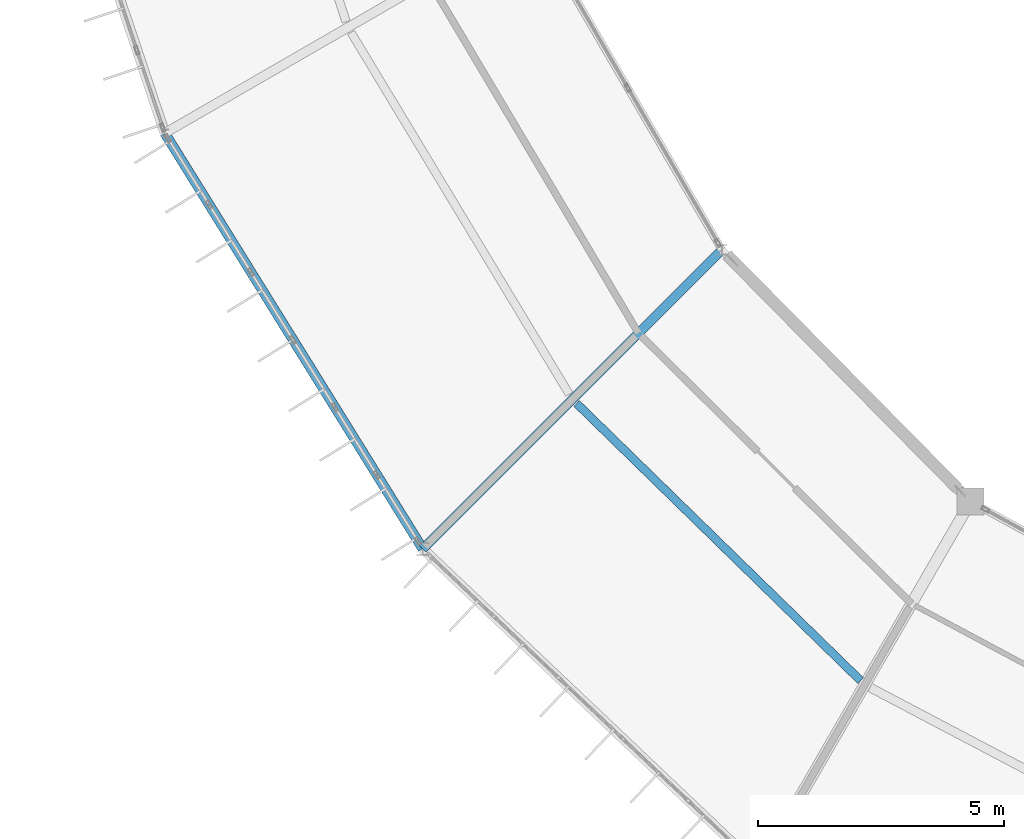
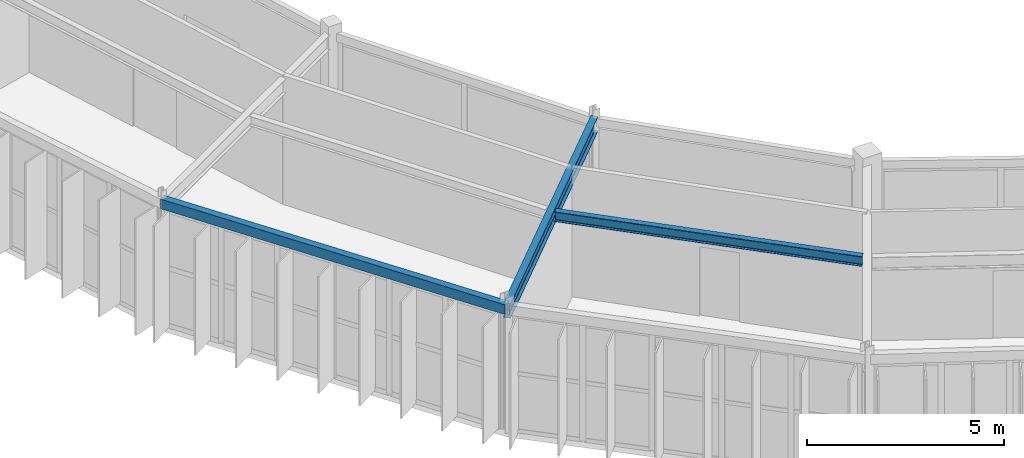
# One storey, part 23 of 130: 3 beams.
"""IFC4 building model written with IfcOpenShell, lengths in metres."""

import ifcopenshell
import ifcopenshell.guid

model = None  # the IFC model being written
_history = None  # IfcOwnerHistory: only IFC2X3 demands one
_inside = {}  # id of a spatial element -> (the spatial element, [elements in it])
_under = {}  # id of a project, library or spatial element -> (it, [spatial elements below it])
_declared = {}  # id of a project -> (the project, [libraries it declares])
_typed = {}  # id of a type object -> (the type object, [elements of that type])
_made_of = {}  # id of a material, layer set ... -> (it, [elements and type objects made of it])


def new_model(schema):
    """Start an empty IFC model of exactly this schema.

    Asked for "IFC4X3", IfcOpenShell would pick the latest addendum, in which some entities
    have other attributes; the version numbers below select the first issue.
    IFC2X3 requires an IfcOwnerHistory on every rooted entity: one is made here for all.
    """
    global model, _history
    if schema == "IFC4X3":
        model = ifcopenshell.file(schema_version=(4, 3, 0, 0))
    else:
        model = ifcopenshell.file(schema=schema)
    _inside.clear()
    _under.clear()
    _declared.clear()
    _typed.clear()
    _made_of.clear()
    _history = None
    if model.schema == "IFC2X3":
        org = make("IfcOrganization", Name="unknown")
        user = make(
            "IfcPersonAndOrganization",
            ThePerson=make("IfcPerson", FamilyName="unknown"),
            TheOrganization=org,
        )
        app = make(
            "IfcApplication",
            ApplicationDeveloper=org,
            Version="unknown",
            ApplicationFullName="unknown",
            ApplicationIdentifier="unknown",
        )
        _history = make(
            "IfcOwnerHistory",
            OwningUser=user,
            OwningApplication=app,
            ChangeAction="ADDED",
            CreationDate=0,
        )
    return model


def make(cls, **values):
    """One entity of the class cls with the attributes given. An attribute that is None is left unset."""
    return model.create_entity(
        cls, **{name: value for name, value in values.items() if value is not None}
    )


def rooted(cls, **values):
    """An entity with a GlobalId (a new one), such as an element, a storey or a relation."""
    return make(cls, GlobalId=ifcopenshell.guid.new(), OwnerHistory=_history, **values)


def si_unit(unit_type, name, prefix=None):
    """IfcSIUnit, for example si_unit("LENGTHUNIT", "METRE", prefix="MILLI")."""
    return make("IfcSIUnit", UnitType=unit_type, Prefix=prefix, Name=name)


def assignment(units):
    """IfcUnitAssignment: the units of a project."""
    return None if units is None else make("IfcUnitAssignment", Units=units)


def point(xyz):
    """IfcCartesianPoint."""
    return None if xyz is None else make("IfcCartesianPoint", Coordinates=xyz)


def direction(xyz):
    """IfcDirection."""
    return None if xyz is None else make("IfcDirection", DirectionRatios=xyz)


def frame(location, z_axis=None, x_axis=None):
    """IfcAxis2Placement3D, a coordinate frame: its origin and axes. An axis left out is left unset."""
    return make(
        "IfcAxis2Placement3D",
        Location=point(location),
        Axis=direction(z_axis),
        RefDirection=direction(x_axis),
    )


def frame_2d(location, x_axis=None):
    """IfcAxis2Placement2D, a coordinate frame in the plane: its origin and x axis."""
    return make(
        "IfcAxis2Placement2D", Location=point(location), RefDirection=direction(x_axis)
    )


def origin():
    """The frame at (0, 0, 0) with its axes left unset."""
    return frame((0.0, 0.0, 0.0))


def origin_2d():
    """The frame at (0, 0) in the plane with its x axis left unset."""
    return frame_2d((0.0, 0.0))


def place(relative_to, where):
    """IfcLocalPlacement: puts the frame where relative to a parent placement (None: the world)."""
    return make(
        "IfcLocalPlacement", PlacementRelTo=relative_to, RelativePlacement=where
    )


def context(
    kind, dimensions, precision=None, world=None, true_north=None, identifier=None
):
    """IfcGeometricRepresentationContext, for example the 3D "Model" context."""
    return make(
        "IfcGeometricRepresentationContext",
        ContextIdentifier=identifier,
        ContextType=kind,
        CoordinateSpaceDimension=dimensions,
        Precision=precision,
        WorldCoordinateSystem=world,
        TrueNorth=true_north,
    )


def subcontext(parent, identifier, kind, view, scale=None):
    """IfcGeometricRepresentationSubContext, for example "Body" below "Model"."""
    return make(
        "IfcGeometricRepresentationSubContext",
        ContextIdentifier=identifier,
        ContextType=kind,
        ParentContext=parent,
        TargetScale=scale,
        TargetView=view,
    )


def project(units=None, contexts=None):
    """IfcProject with its units and contexts."""
    return rooted(
        "IfcProject",
        Name="project",
        RepresentationContexts=contexts,
        UnitsInContext=assignment(units),
    )


def spatial(cls, under=None, at=None, **own):
    """A site, building, storey or space (cls), placed at a placement, below another one or the project."""
    s = rooted(cls, ObjectPlacement=at, **own)
    if under is not None:
        _under.setdefault(under.id(), (under, []))[1].append(s)
    return s


def profile(cls, at=None, kind="AREA", **sizes):
    """A parametric profile (cls). Its sizes go by their IFC names, for example OverallWidth=200.0."""
    return make(cls, ProfileType=kind, Position=at, **sizes)


def hollow_rectangle(**sizes):
    """IfcRectangleHollowProfileDef."""
    return profile("IfcRectangleHollowProfileDef", **sizes)


def i_section(**sizes):
    """IfcIShapeProfileDef."""
    return profile("IfcIShapeProfileDef", **sizes)


def extrude(swept, where, along, depth):
    """IfcExtrudedAreaSolid: the profile swept, set in the frame where, extruded along a direction by depth."""
    return make(
        "IfcExtrudedAreaSolid",
        SweptArea=swept,
        Position=where,
        ExtrudedDirection=direction(along),
        Depth=depth,
    )


def shape(context_of_items, identifier, shape_type, items):
    """IfcShapeRepresentation: the items that make up one representation, for example the "Body"."""
    return make(
        "IfcShapeRepresentation",
        ContextOfItems=context_of_items,
        RepresentationIdentifier=identifier,
        RepresentationType=shape_type,
        Items=items,
    )


def material(Name=None, Category=None):
    """IfcMaterial."""
    return make("IfcMaterial", Name=Name, Category=Category)


def material_profile(
    of_material, cross_section, Name=None, Category=None, Priority=None
):
    """IfcMaterialProfile: a cross section and its material."""
    return make(
        "IfcMaterialProfile",
        Name=Name,
        Material=of_material,
        Profile=cross_section,
        Priority=Priority,
        Category=Category,
    )


def profile_set(profiles, Name=None, composite=None):
    """IfcMaterialProfileSet."""
    return make(
        "IfcMaterialProfileSet",
        Name=Name,
        MaterialProfiles=profiles,
        CompositeProfile=composite,
    )


def made_of(thing, what):
    """Note that an element or type object is made of a material, layer set ...; save() writes the relation."""
    if what is not None:
        _made_of.setdefault(what.id(), (what, []))[1].append(thing)
    return thing


def type_object(cls, material=None, **own):
    """A type object (cls), such as IfcWallType, which elements share."""
    return made_of(rooted(cls, **own), material)


def element(
    cls,
    number,
    at=None,
    inside=None,
    cuts=None,
    type_object=None,
    material=None,
    context=None,
    identifier="Body",
    shape_type=None,
    held_by="IfcProductDefinitionShape",
    body=None,
    shapes=None,
    **own,
):
    """One element of the class cls, such as IfcWall. Its Tag is "e" and its number.

    at: its placement. inside: the storey or other place that contains it. cuts: it is an
    opening in that element (IfcRelVoidsElement). A single representation is given by context,
    identifier, shape_type and body (its items); several are given by shapes. held_by: the class
    of the entity that holds the representations. save() writes the other relations.
    """
    e = rooted(cls, Tag="e%d" % number, ObjectPlacement=at, **own)
    if body is not None:
        shapes = [shape(context, identifier, shape_type, body)]
    if shapes is not None:
        e.Representation = make(held_by, Representations=shapes)
    if inside is not None:
        _inside.setdefault(inside.id(), (inside, []))[1].append(e)
    if cuts is not None:
        rooted(
            "IfcRelVoidsElement", RelatingBuildingElement=cuts, RelatedOpeningElement=e
        )
    if type_object is not None:
        _typed.setdefault(type_object.id(), (type_object, []))[1].append(e)
    return made_of(e, material)


def aggregate(whole, parts):
    """IfcRelAggregates: a whole, such as a stair, and the parts it consists of."""
    return rooted("IfcRelAggregates", RelatingObject=whole, RelatedObjects=parts)


def save(model, path):
    """Write the relations noted so far, then the file.

    IfcRelAggregates (storeys below a building ...), IfcRelContainedInSpatialStructure (elements
    in a storey), IfcRelDefinesByType, IfcRelAssociatesMaterial and IfcRelDeclares: one each for
    every whole, place, type object, material and project.
    """
    for whole, parts in _under.values():
        aggregate(whole, parts)
    for where, things in _inside.values():
        rooted(
            "IfcRelContainedInSpatialStructure",
            RelatedElements=things,
            RelatingStructure=where,
        )
    for kind, things in _typed.values():
        rooted("IfcRelDefinesByType", RelatedObjects=things, RelatingType=kind)
    for what, things in _made_of.values():
        rooted("IfcRelAssociatesMaterial", RelatedObjects=things, RelatingMaterial=what)
    for by, libraries in _declared.values():
        rooted("IfcRelDeclares", RelatingContext=by, RelatedDefinitions=libraries)
    model.write(path)


model = new_model("IFC4")

# Units and contexts
model_context = context("Model", 3, precision=1e-05, world=origin(), true_north=direction((0.0, 1.0)))
body_context = subcontext(model_context, "Body", "Model", "MODEL_VIEW")
ifc_project = project(units=[si_unit("LENGTHUNIT", "METRE"), si_unit("AREAUNIT", "SQUARE_METRE"), si_unit("VOLUMEUNIT", "CUBIC_METRE"), si_unit("PLANEANGLEUNIT", "RADIAN"), si_unit("MASSUNIT", "GRAM", prefix="KILO")], contexts=[model_context])

# Site, building, storey
site_placement = place(None, origin())
site = spatial("IfcSite", under=ifc_project, at=site_placement, CompositionType="ELEMENT")
building_placement = place(site_placement, origin())
building = spatial("IfcBuilding", under=site, at=building_placement, Name="Karori Crest Natural Sciences Institute", CompositionType="ELEMENT")
storey_placement = place(building_placement, frame((0.0, 0.0, 17.5)))
storey = spatial("IfcBuildingStorey", under=building, at=storey_placement, Name="L04", CompositionType="ELEMENT", Elevation=17.5)

# Beams
ifc_material_1 = material(Name="Structural steel AS/NZS 3679.1 Grade 350", Category="steel")
ifc_material_profile_1 = material_profile(ifc_material_1, i_section(OverallWidth=0.19091796875, OverallDepth=0.4599609375, WebThickness=0.010009765625, FlangeThickness=0.01611328125, FilletRadius=0.010986328125, at=origin_2d()), Name="460UB82.1")
ifc_profile_set_1 = profile_set([ifc_material_profile_1], Name="Structural steel AS/NZS 3679.1 Grade 350")
beam_type_1 = type_object("IfcBeamType", Name="BT-06", PredefinedType="BEAM", material=ifc_profile_set_1)
beam_1_placement = place(storey_placement, frame((49.146484375, 27.131103515625, 3.7099609375), z_axis=(-0.707106781187, -0.707106781187, 0.0), x_axis=(0.707106781187, -0.707106781187, 0.0)))
element("IfcBeam", 1, at=beam_1_placement, inside=storey, type_object=beam_type_1, Name="Beam B-0508", PredefinedType="BEAM", context=body_context, shape_type="SweptSolid", body=[
    extrude(i_section(OverallWidth=0.19091796875, OverallDepth=0.4599609375, WebThickness=0.010009765625, FlangeThickness=0.01611328125, FilletRadius=0.010986328125, at=origin_2d()), origin(), (0.0, 0.0, 1.0), 8.599853515625),
])
ifc_material_profile_2 = material_profile(ifc_material_1, i_section(OverallWidth=0.166015625, OverallDepth=0.306884765625, WebThickness=0.006591796875, FlangeThickness=0.01171875, FilletRadius=0.010986328125, at=origin_2d()), Name="310UB46.2")
ifc_profile_set_2 = profile_set([ifc_material_profile_2], Name="Structural steel AS/NZS 3679.1 Grade 350")
beam_type_2 = type_object("IfcBeamType", Name="BT-09", PredefinedType="BEAM", material=ifc_profile_set_2)
beam_2_placement = place(storey_placement, frame((46.19189453125, 24.0068359375, 3.78662109375), z_axis=(0.715681193625, -0.698427110794, 0.0), x_axis=(0.698427110794, 0.715681193625, 0.0)))
element("IfcBeam", 2, at=beam_2_placement, inside=storey, type_object=beam_type_2, Name="Beam B-0509", PredefinedType="BEAM", context=body_context, shape_type="SweptSolid", body=[
    extrude(i_section(OverallWidth=0.166015625, OverallDepth=0.306884765625, WebThickness=0.006591796875, FlangeThickness=0.01171875, FilletRadius=0.010986328125, at=origin_2d()), origin(), (0.0, 0.0, 1.0), 8.0654296875),
])
ifc_material_2 = material(Name="Hollow structural steel AS/NZS 1163 Grade C350", Category="steel")
ifc_material_profile_3 = material_profile(ifc_material_2, hollow_rectangle(XDim=0.199951171875, YDim=0.300048828125, WallThickness=0.010009765625, at=origin_2d()), Name="RHS300x200x10")
ifc_profile_set_3 = profile_set([ifc_material_profile_3], Name="Hollow structural steel AS/NZS 1163 Grade C350")
beam_type_3 = type_object("IfcBeamType", Name="BT-15", PredefinedType="SPANDREL", material=ifc_profile_set_3)
beam_3_placement = place(storey_placement, frame((37.8212890625, 29.5, 3.7900390625), z_axis=(0.527315195609, -0.849669750244, 0.0), x_axis=(0.849669750244, 0.527315195609, 0.0)))
element("IfcBeam", 3, at=beam_3_placement, inside=storey, type_object=beam_type_3, Name="Beam B-0502", PredefinedType="SPANDREL", context=body_context, shape_type="SweptSolid", body=[
    extrude(hollow_rectangle(XDim=0.199951171875, YDim=0.300048828125, WallThickness=0.010009765625, at=origin_2d()), origin(), (0.0, 0.0, 1.0), 9.945068359375),
])

save(model, "model.ifc")
